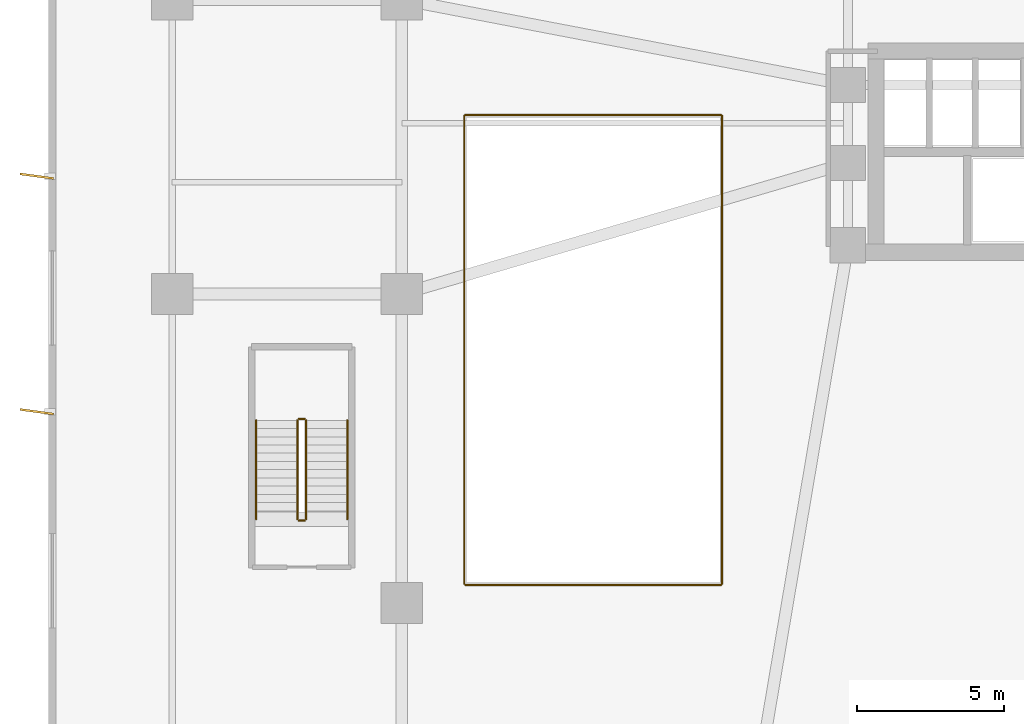
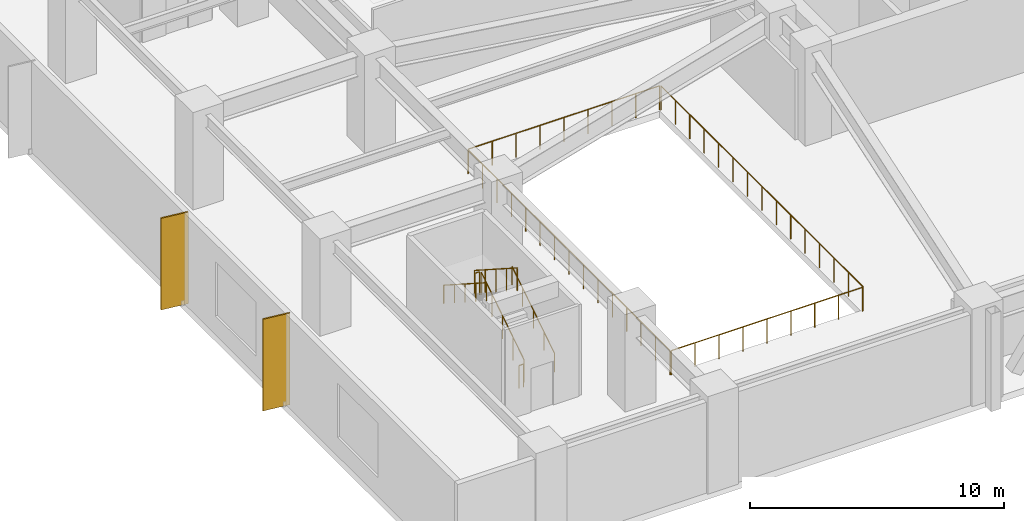
# One storey, part 8 of 12: 10 railings, 2 shading devices.
"""IFC4 building model written with IfcOpenShell, lengths in metres."""

import ifcopenshell
import ifcopenshell.guid

model = None  # the IFC model being written
_history = None  # IfcOwnerHistory: only IFC2X3 demands one
_inside = {}  # id of a spatial element -> (the spatial element, [elements in it])
_under = {}  # id of a project, library or spatial element -> (it, [spatial elements below it])
_declared = {}  # id of a project -> (the project, [libraries it declares])
_typed = {}  # id of a type object -> (the type object, [elements of that type])
_made_of = {}  # id of a material, layer set ... -> (it, [elements and type objects made of it])


def new_model(schema):
    """Start an empty IFC model of exactly this schema.

    Asked for "IFC4X3", IfcOpenShell would pick the latest addendum, in which some entities
    have other attributes; the version numbers below select the first issue.
    IFC2X3 requires an IfcOwnerHistory on every rooted entity: one is made here for all.
    """
    global model, _history
    if schema == "IFC4X3":
        model = ifcopenshell.file(schema_version=(4, 3, 0, 0))
    else:
        model = ifcopenshell.file(schema=schema)
    _inside.clear()
    _under.clear()
    _declared.clear()
    _typed.clear()
    _made_of.clear()
    _history = None
    if model.schema == "IFC2X3":
        org = make("IfcOrganization", Name="unknown")
        user = make(
            "IfcPersonAndOrganization",
            ThePerson=make("IfcPerson", FamilyName="unknown"),
            TheOrganization=org,
        )
        app = make(
            "IfcApplication",
            ApplicationDeveloper=org,
            Version="unknown",
            ApplicationFullName="unknown",
            ApplicationIdentifier="unknown",
        )
        _history = make(
            "IfcOwnerHistory",
            OwningUser=user,
            OwningApplication=app,
            ChangeAction="ADDED",
            CreationDate=0,
        )
    return model


def make(cls, **values):
    """One entity of the class cls with the attributes given. An attribute that is None is left unset."""
    return model.create_entity(
        cls, **{name: value for name, value in values.items() if value is not None}
    )


def rooted(cls, **values):
    """An entity with a GlobalId (a new one), such as an element, a storey or a relation."""
    return make(cls, GlobalId=ifcopenshell.guid.new(), OwnerHistory=_history, **values)


def si_unit(unit_type, name, prefix=None):
    """IfcSIUnit, for example si_unit("LENGTHUNIT", "METRE", prefix="MILLI")."""
    return make("IfcSIUnit", UnitType=unit_type, Prefix=prefix, Name=name)


def assignment(units):
    """IfcUnitAssignment: the units of a project."""
    return None if units is None else make("IfcUnitAssignment", Units=units)


def point(xyz):
    """IfcCartesianPoint."""
    return None if xyz is None else make("IfcCartesianPoint", Coordinates=xyz)


def direction(xyz):
    """IfcDirection."""
    return None if xyz is None else make("IfcDirection", DirectionRatios=xyz)


def frame(location, z_axis=None, x_axis=None):
    """IfcAxis2Placement3D, a coordinate frame: its origin and axes. An axis left out is left unset."""
    return make(
        "IfcAxis2Placement3D",
        Location=point(location),
        Axis=direction(z_axis),
        RefDirection=direction(x_axis),
    )


def frame_2d(location, x_axis=None):
    """IfcAxis2Placement2D, a coordinate frame in the plane: its origin and x axis."""
    return make(
        "IfcAxis2Placement2D", Location=point(location), RefDirection=direction(x_axis)
    )


def origin():
    """The frame at (0, 0, 0) with its axes left unset."""
    return frame((0.0, 0.0, 0.0))


def origin_2d():
    """The frame at (0, 0) in the plane with its x axis left unset."""
    return frame_2d((0.0, 0.0))


def place(relative_to, where):
    """IfcLocalPlacement: puts the frame where relative to a parent placement (None: the world)."""
    return make(
        "IfcLocalPlacement", PlacementRelTo=relative_to, RelativePlacement=where
    )


def context(
    kind, dimensions, precision=None, world=None, true_north=None, identifier=None
):
    """IfcGeometricRepresentationContext, for example the 3D "Model" context."""
    return make(
        "IfcGeometricRepresentationContext",
        ContextIdentifier=identifier,
        ContextType=kind,
        CoordinateSpaceDimension=dimensions,
        Precision=precision,
        WorldCoordinateSystem=world,
        TrueNorth=true_north,
    )


def subcontext(parent, identifier, kind, view, scale=None):
    """IfcGeometricRepresentationSubContext, for example "Body" below "Model"."""
    return make(
        "IfcGeometricRepresentationSubContext",
        ContextIdentifier=identifier,
        ContextType=kind,
        ParentContext=parent,
        TargetScale=scale,
        TargetView=view,
    )


def project(units=None, contexts=None):
    """IfcProject with its units and contexts."""
    return rooted(
        "IfcProject",
        Name="project",
        RepresentationContexts=contexts,
        UnitsInContext=assignment(units),
    )


def spatial(cls, under=None, at=None, **own):
    """A site, building, storey or space (cls), placed at a placement, below another one or the project."""
    s = rooted(cls, ObjectPlacement=at, **own)
    if under is not None:
        _under.setdefault(under.id(), (under, []))[1].append(s)
    return s


def profile(cls, at=None, kind="AREA", **sizes):
    """A parametric profile (cls). Its sizes go by their IFC names, for example OverallWidth=200.0."""
    return make(cls, ProfileType=kind, Position=at, **sizes)


def rectangle(**sizes):
    """IfcRectangleProfileDef."""
    return profile("IfcRectangleProfileDef", **sizes)


def circle(**sizes):
    """IfcCircleProfileDef."""
    return profile("IfcCircleProfileDef", **sizes)


def extrude(swept, where, along, depth):
    """IfcExtrudedAreaSolid: the profile swept, set in the frame where, extruded along a direction by depth."""
    return make(
        "IfcExtrudedAreaSolid",
        SweptArea=swept,
        Position=where,
        ExtrudedDirection=direction(along),
        Depth=depth,
    )


def shape(context_of_items, identifier, shape_type, items):
    """IfcShapeRepresentation: the items that make up one representation, for example the "Body"."""
    return make(
        "IfcShapeRepresentation",
        ContextOfItems=context_of_items,
        RepresentationIdentifier=identifier,
        RepresentationType=shape_type,
        Items=items,
    )


def material(Name=None, Category=None):
    """IfcMaterial."""
    return make("IfcMaterial", Name=Name, Category=Category)


def layer(
    of_material, thickness, ventilated=None, Name=None, Category=None, Priority=None
):
    """IfcMaterialLayer: one layer of a wall or slab, of a material (None: an air gap)."""
    return make(
        "IfcMaterialLayer",
        Material=of_material,
        LayerThickness=thickness,
        IsVentilated=ventilated,
        Name=Name,
        Category=Category,
        Priority=Priority,
    )


def layer_set(layers, Name=None):
    """IfcMaterialLayerSet."""
    return make("IfcMaterialLayerSet", MaterialLayers=layers, LayerSetName=Name)


def made_of(thing, what):
    """Note that an element or type object is made of a material, layer set ...; save() writes the relation."""
    if what is not None:
        _made_of.setdefault(what.id(), (what, []))[1].append(thing)
    return thing


def type_object(cls, material=None, **own):
    """A type object (cls), such as IfcWallType, which elements share."""
    return made_of(rooted(cls, **own), material)


def element(
    cls,
    number,
    at=None,
    inside=None,
    cuts=None,
    type_object=None,
    material=None,
    context=None,
    identifier="Body",
    shape_type=None,
    held_by="IfcProductDefinitionShape",
    body=None,
    shapes=None,
    **own,
):
    """One element of the class cls, such as IfcWall. Its Tag is "e" and its number.

    at: its placement. inside: the storey or other place that contains it. cuts: it is an
    opening in that element (IfcRelVoidsElement). A single representation is given by context,
    identifier, shape_type and body (its items); several are given by shapes. held_by: the class
    of the entity that holds the representations. save() writes the other relations.
    """
    e = rooted(cls, Tag="e%d" % number, ObjectPlacement=at, **own)
    if body is not None:
        shapes = [shape(context, identifier, shape_type, body)]
    if shapes is not None:
        e.Representation = make(held_by, Representations=shapes)
    if inside is not None:
        _inside.setdefault(inside.id(), (inside, []))[1].append(e)
    if cuts is not None:
        rooted(
            "IfcRelVoidsElement", RelatingBuildingElement=cuts, RelatedOpeningElement=e
        )
    if type_object is not None:
        _typed.setdefault(type_object.id(), (type_object, []))[1].append(e)
    return made_of(e, material)


def aggregate(whole, parts):
    """IfcRelAggregates: a whole, such as a stair, and the parts it consists of."""
    return rooted("IfcRelAggregates", RelatingObject=whole, RelatedObjects=parts)


def save(model, path):
    """Write the relations noted so far, then the file.

    IfcRelAggregates (storeys below a building ...), IfcRelContainedInSpatialStructure (elements
    in a storey), IfcRelDefinesByType, IfcRelAssociatesMaterial and IfcRelDeclares: one each for
    every whole, place, type object, material and project.
    """
    for whole, parts in _under.values():
        aggregate(whole, parts)
    for where, things in _inside.values():
        rooted(
            "IfcRelContainedInSpatialStructure",
            RelatedElements=things,
            RelatingStructure=where,
        )
    for kind, things in _typed.values():
        rooted("IfcRelDefinesByType", RelatedObjects=things, RelatingType=kind)
    for what, things in _made_of.values():
        rooted("IfcRelAssociatesMaterial", RelatedObjects=things, RelatingMaterial=what)
    for by, libraries in _declared.values():
        rooted("IfcRelDeclares", RelatingContext=by, RelatedDefinitions=libraries)
    model.write(path)


model = new_model("IFC4")

# Units and contexts
model_context = context("Model", 3, precision=1e-05, world=origin(), true_north=direction((0.0, 1.0)))
body_context = subcontext(model_context, "Body", "Model", "MODEL_VIEW")
ifc_project = project(units=[si_unit("LENGTHUNIT", "METRE"), si_unit("AREAUNIT", "SQUARE_METRE"), si_unit("VOLUMEUNIT", "CUBIC_METRE"), si_unit("PLANEANGLEUNIT", "RADIAN"), si_unit("MASSUNIT", "GRAM", prefix="KILO")], contexts=[model_context])

# Site, building, storey
site_placement = place(None, origin())
site = spatial("IfcSite", under=ifc_project, at=site_placement, CompositionType="ELEMENT")
building_placement = place(site_placement, origin())
building = spatial("IfcBuilding", under=site, at=building_placement, Name="Solmarez Civic Tower", CompositionType="ELEMENT")
storey_placement = place(building_placement, frame((0.0, 0.0, 5.39990234375)))
storey = spatial("IfcBuildingStorey", under=building, at=storey_placement, Name="L01", CompositionType="ELEMENT", Elevation=5.39990234375)

# Shading devices
ifc_material_1 = material(Name="Bronze Anodised Aluminium EN AW-6063 T6", Category="aluminium")
ifc_layer = layer(ifc_material_1, 0.070068359375)
ifc_layer_set = layer_set([ifc_layer], Name="Bronze Anodised Aluminium EN AW-6063 T6")
shading_device_type = type_object("IfcShadingDeviceType", Name="FIN-BRONZE-POD", PredefinedType="USERDEFINED", material=ifc_layer_set)
for number, where, z_axis, x_axis, name in (
    (1, (-36.39501953125, -14.0, -0.039794921875), (0.0, 0.0, 1.0), (-0.990983199715, 0.133986185418, 0.0), "L01 Anodised Bronze Solar Fin FIN-L01-W1"),
    (2, (-36.39501953125, -6.0, -0.039794921875), (0.0, 0.0, 1.0), (-0.990983199715, 0.133986185418, 0.0), "L01 Anodised Bronze Solar Fin FIN-L01-W2"),
):
    element("IfcShadingDevice", number, at=place(storey_placement, frame(where, z_axis=z_axis, x_axis=x_axis)), inside=storey, type_object=shading_device_type, Name=name, ObjectType="FIN", PredefinedType="USERDEFINED", context=body_context, shape_type="SweptSolid", body=[
        extrude(rectangle(XDim=1.14990234375, YDim=0.070068359375, at=origin_2d()), origin(), (0.0, 0.0, 1.0), 4.39990234375),
    ])

# Railings
ifc_material_2 = material(Name="Painted Steel Stairwell Safety Guard", Category="steel")
railing_type_1 = type_object("IfcRailingType", Name="GUARD-STAIR-1120", PredefinedType="BALUSTRADE", material=ifc_material_2)
railing_1_placement = place(storey_placement, frame((-27.25, -17.64990234375, 0.18017578125)))
element("IfcRailing", 3, at=railing_1_placement, inside=storey, type_object=railing_type_1, Name="L01 ST-P1 stair guard 1", PredefinedType="BALUSTRADE", context=body_context, shape_type="SweptSolid", body=[
    extrude(circle(Radius=0.02392578125, at=origin_2d()), frame((0.0, 0.0, 1.09619140625), z_axis=(0.0, 0.841178475377, 0.540757591313), x_axis=(-1.0, 0.0, 0.0)), (0.0, 0.0, 1.0), 3.994140625),
    extrude(circle(Radius=0.02099609375, at=origin_2d()), origin(), (0.0, 0.0, 1.0), 1.072021484375),
    extrude(circle(Radius=0.02099609375, at=origin_2d()), frame((0.0, 0.83984375, 0.5400390625)), (0.0, 0.0, 1.0), 1.072021484375),
    extrude(circle(Radius=0.02099609375, at=origin_2d()), frame((0.0, 1.679931640625, 1.080078125)), (0.0, 0.0, 1.0), 1.072021484375),
    extrude(circle(Radius=0.02099609375, at=origin_2d()), frame((0.0, 2.52001953125, 1.619873046875)), (0.0, 0.0, 1.0), 1.072021484375),
    extrude(circle(Radius=0.02099609375, at=origin_2d()), frame((0.0, 3.35986328125, 2.159912109375)), (0.0, 0.0, 1.0), 1.072021484375),
])
railing_2_placement = place(storey_placement, frame((-27.300048828125, -14.239990234375, 2.340087890625)))
element("IfcRailing", 4, at=railing_2_placement, inside=storey, type_object=railing_type_1, Name="L01 ST-P1 stair guard 2", PredefinedType="BALUSTRADE", context=body_context, shape_type="SweptSolid", body=[
    extrude(circle(Radius=0.02392578125, at=origin_2d()), frame((0.0, 0.0, 1.09619140625), z_axis=(-1.0, 0.0, 0.0), x_axis=(0.0, -1.0, 0.0)), (0.0, 0.0, 1.0), 0.199951171875),
    extrude(circle(Radius=0.02099609375, at=origin_2d()), origin(), (0.0, 0.0, 1.0), 1.072021484375),
    extrude(circle(Radius=0.02099609375, at=origin_2d()), frame((-0.199951171875, 0.0, 0.0)), (0.0, 0.0, 1.0), 1.072021484375),
])
railing_3_placement = place(storey_placement, frame((-27.550048828125, -14.2900390625, 2.52001953125)))
element("IfcRailing", 5, at=railing_3_placement, inside=storey, type_object=railing_type_1, Name="L01 ST-P1 stair guard 3", PredefinedType="BALUSTRADE", context=body_context, shape_type="SweptSolid", body=[
    extrude(circle(Radius=0.02392578125, at=origin_2d()), frame((0.0, 0.0, 1.09619140625), z_axis=(0.0, -0.841150671818, 0.540800838849), x_axis=(1.0, 0.0, 0.0)), (0.0, 0.0, 1.0), 3.994384765625),
    extrude(circle(Radius=0.02099609375, at=origin_2d()), origin(), (0.0, 0.0, 1.0), 1.072021484375),
    extrude(circle(Radius=0.02099609375, at=origin_2d()), frame((0.0, -0.83984375, 0.5400390625)), (0.0, 0.0, 1.0), 1.072021484375),
    extrude(circle(Radius=0.02099609375, at=origin_2d()), frame((0.0, -1.679931640625, 1.080078125)), (0.0, 0.0, 1.0), 1.072021484375),
    extrude(circle(Radius=0.02099609375, at=origin_2d()), frame((0.0, -2.52001953125, 1.6201171875)), (0.0, 0.0, 1.0), 1.072021484375),
    extrude(circle(Radius=0.02099609375, at=origin_2d()), frame((0.0, -3.35986328125, 2.16015625)), (0.0, 0.0, 1.0), 1.072021484375),
])
railing_4_placement = place(storey_placement, frame((-27.300048828125, -17.699951171875, 0.0)))
element("IfcRailing", 6, at=railing_4_placement, inside=storey, type_object=railing_type_1, Name="L01 ST-P1 stair guard 4", PredefinedType="BALUSTRADE", context=body_context, shape_type="SweptSolid", body=[
    extrude(circle(Radius=0.02392578125, at=origin_2d()), frame((0.0, 0.0, 1.09619140625), z_axis=(-1.0, 0.0, 0.0), x_axis=(0.0, -1.0, 0.0)), (0.0, 0.0, 1.0), 0.199951171875),
    extrude(circle(Radius=0.02099609375, at=origin_2d()), origin(), (0.0, 0.0, 1.0), 1.072021484375),
    extrude(circle(Radius=0.02099609375, at=origin_2d()), frame((-0.199951171875, 0.0, 0.0)), (0.0, 0.0, 1.0), 1.072021484375),
])
ifc_material_3 = material(Name="Bronze Anodised Aluminium and Laminated Safety Glass Balustrade", Category="aluminium")
railing_type_2 = type_object("IfcRailingType", Name="GUARD-TERR-1180", PredefinedType="BALUSTRADE", material=ifc_material_3)
railing_5_placement = place(storey_placement, frame((-21.844970703125, -19.8798828125, 0.0)))
element("IfcRailing", 7, at=railing_5_placement, inside=storey, type_object=railing_type_2, Name="L01 Safety Balustrade GRD-VOID-L01-HALL-1", PredefinedType="BALUSTRADE", context=body_context, shape_type="SweptSolid", body=[
    extrude(circle(Radius=0.02392578125, at=origin_2d()), frame((0.0, 0.0, 1.15576171875), z_axis=(1.0, 0.0, 0.0), x_axis=(0.0, 1.0, 0.0)), (0.0, 0.0, 1.0), 8.68994140625),
    extrude(circle(Radius=0.02099609375, at=origin_2d()), origin(), (0.0, 0.0, 1.0), 1.1318359375),
    extrude(circle(Radius=0.02099609375, at=origin_2d()), frame((1.086181640625, 0.0, 0.0)), (0.0, 0.0, 1.0), 1.1318359375),
    extrude(circle(Radius=0.02099609375, at=origin_2d()), frame((2.17236328125, 0.0, 0.0)), (0.0, 0.0, 1.0), 1.1318359375),
    extrude(circle(Radius=0.02099609375, at=origin_2d()), frame((3.2587890625, 0.0, 0.0)), (0.0, 0.0, 1.0), 1.1318359375),
    extrude(circle(Radius=0.02099609375, at=origin_2d()), frame((4.344970703125, 0.0, 0.0)), (0.0, 0.0, 1.0), 1.1318359375),
    extrude(circle(Radius=0.02099609375, at=origin_2d()), frame((5.43115234375, 0.0, 0.0)), (0.0, 0.0, 1.0), 1.1318359375),
    extrude(circle(Radius=0.02099609375, at=origin_2d()), frame((6.517578125, 0.0, 0.0)), (0.0, 0.0, 1.0), 1.1318359375),
    extrude(circle(Radius=0.02099609375, at=origin_2d()), frame((7.603759765625, 0.0, 0.0)), (0.0, 0.0, 1.0), 1.1318359375),
    extrude(circle(Radius=0.02099609375, at=origin_2d()), frame((8.68994140625, 0.0, 0.0)), (0.0, 0.0, 1.0), 1.1318359375),
])
railing_6_placement = place(storey_placement, frame((-13.1201171875, -19.844970703125, 0.0)))
element("IfcRailing", 8, at=railing_6_placement, inside=storey, type_object=railing_type_2, Name="L01 Safety Balustrade GRD-VOID-L01-HALL-2", PredefinedType="BALUSTRADE", context=body_context, shape_type="SweptSolid", body=[
    extrude(circle(Radius=0.02392578125, at=origin_2d()), frame((0.0, 0.0, 1.15576171875), z_axis=(0.0, 1.0, 0.0), x_axis=(-1.0, 0.0, 0.0)), (0.0, 0.0, 1.0), 15.889892578125),
    extrude(circle(Radius=0.02099609375, at=origin_2d()), origin(), (0.0, 0.0, 1.0), 1.1318359375),
    extrude(circle(Radius=0.02099609375, at=origin_2d()), frame((0.0, 1.135009765625, 0.0)), (0.0, 0.0, 1.0), 1.1318359375),
    extrude(circle(Radius=0.02099609375, at=origin_2d()), frame((0.0, 2.27001953125, 0.0)), (0.0, 0.0, 1.0), 1.1318359375),
    extrude(circle(Radius=0.02099609375, at=origin_2d()), frame((0.0, 3.405029296875, 0.0)), (0.0, 0.0, 1.0), 1.1318359375),
    extrude(circle(Radius=0.02099609375, at=origin_2d()), frame((0.0, 4.5400390625, 0.0)), (0.0, 0.0, 1.0), 1.1318359375),
    extrude(circle(Radius=0.02099609375, at=origin_2d()), frame((0.0, 5.675048828125, 0.0)), (0.0, 0.0, 1.0), 1.1318359375),
    extrude(circle(Radius=0.02099609375, at=origin_2d()), frame((0.0, 6.81005859375, 0.0)), (0.0, 0.0, 1.0), 1.1318359375),
    extrude(circle(Radius=0.02099609375, at=origin_2d()), frame((0.0, 7.94482421875, 0.0)), (0.0, 0.0, 1.0), 1.1318359375),
    extrude(circle(Radius=0.02099609375, at=origin_2d()), frame((0.0, 9.079833984375, 0.0)), (0.0, 0.0, 1.0), 1.1318359375),
    extrude(circle(Radius=0.02099609375, at=origin_2d()), frame((0.0, 10.21484375, 0.0)), (0.0, 0.0, 1.0), 1.1318359375),
    extrude(circle(Radius=0.02099609375, at=origin_2d()), frame((0.0, 11.349853515625, 0.0)), (0.0, 0.0, 1.0), 1.1318359375),
    extrude(circle(Radius=0.02099609375, at=origin_2d()), frame((0.0, 12.48486328125, 0.0)), (0.0, 0.0, 1.0), 1.1318359375),
    extrude(circle(Radius=0.02099609375, at=origin_2d()), frame((0.0, 13.619873046875, 0.0)), (0.0, 0.0, 1.0), 1.1318359375),
    extrude(circle(Radius=0.02099609375, at=origin_2d()), frame((0.0, 14.7548828125, 0.0)), (0.0, 0.0, 1.0), 1.1318359375),
    extrude(circle(Radius=0.02099609375, at=origin_2d()), frame((0.0, 15.889892578125, 0.0)), (0.0, 0.0, 1.0), 1.1318359375),
])
railing_7_placement = place(storey_placement, frame((-13.155029296875, -3.919921875, 0.0)))
element("IfcRailing", 9, at=railing_7_placement, inside=storey, type_object=railing_type_2, Name="L01 Safety Balustrade GRD-VOID-L01-HALL-3", PredefinedType="BALUSTRADE", context=body_context, shape_type="SweptSolid", body=[
    extrude(circle(Radius=0.02392578125, at=origin_2d()), frame((0.0, 0.0, 1.15576171875), z_axis=(-1.0, 0.0, 0.0), x_axis=(0.0, -1.0, 0.0)), (0.0, 0.0, 1.0), 8.68994140625),
    extrude(circle(Radius=0.02099609375, at=origin_2d()), origin(), (0.0, 0.0, 1.0), 1.1318359375),
    extrude(circle(Radius=0.02099609375, at=origin_2d()), frame((-1.086181640625, 0.0, 0.0)), (0.0, 0.0, 1.0), 1.1318359375),
    extrude(circle(Radius=0.02099609375, at=origin_2d()), frame((-2.17236328125, 0.0, 0.0)), (0.0, 0.0, 1.0), 1.1318359375),
    extrude(circle(Radius=0.02099609375, at=origin_2d()), frame((-3.2587890625, 0.0, 0.0)), (0.0, 0.0, 1.0), 1.1318359375),
    extrude(circle(Radius=0.02099609375, at=origin_2d()), frame((-4.344970703125, 0.0, 0.0)), (0.0, 0.0, 1.0), 1.1318359375),
    extrude(circle(Radius=0.02099609375, at=origin_2d()), frame((-5.43115234375, 0.0, 0.0)), (0.0, 0.0, 1.0), 1.1318359375),
    extrude(circle(Radius=0.02099609375, at=origin_2d()), frame((-6.517578125, 0.0, 0.0)), (0.0, 0.0, 1.0), 1.1318359375),
    extrude(circle(Radius=0.02099609375, at=origin_2d()), frame((-7.603759765625, 0.0, 0.0)), (0.0, 0.0, 1.0), 1.1318359375),
    extrude(circle(Radius=0.02099609375, at=origin_2d()), frame((-8.68994140625, 0.0, 0.0)), (0.0, 0.0, 1.0), 1.1318359375),
])
railing_8_placement = place(storey_placement, frame((-21.8798828125, -3.955078125, 0.0)))
element("IfcRailing", 10, at=railing_8_placement, inside=storey, type_object=railing_type_2, Name="L01 Safety Balustrade GRD-VOID-L01-HALL-4", PredefinedType="BALUSTRADE", context=body_context, shape_type="SweptSolid", body=[
    extrude(circle(Radius=0.02392578125, at=origin_2d()), frame((0.0, 0.0, 1.15576171875), z_axis=(0.0, -1.0, 0.0), x_axis=(1.0, 0.0, 0.0)), (0.0, 0.0, 1.0), 15.889892578125),
    extrude(circle(Radius=0.02099609375, at=origin_2d()), origin(), (0.0, 0.0, 1.0), 1.1318359375),
    extrude(circle(Radius=0.02099609375, at=origin_2d()), frame((0.0, -1.135009765625, 0.0)), (0.0, 0.0, 1.0), 1.1318359375),
    extrude(circle(Radius=0.02099609375, at=origin_2d()), frame((0.0, -2.27001953125, 0.0)), (0.0, 0.0, 1.0), 1.1318359375),
    extrude(circle(Radius=0.02099609375, at=origin_2d()), frame((0.0, -3.405029296875, 0.0)), (0.0, 0.0, 1.0), 1.1318359375),
    extrude(circle(Radius=0.02099609375, at=origin_2d()), frame((0.0, -4.5400390625, 0.0)), (0.0, 0.0, 1.0), 1.1318359375),
    extrude(circle(Radius=0.02099609375, at=origin_2d()), frame((0.0, -5.675048828125, 0.0)), (0.0, 0.0, 1.0), 1.1318359375),
    extrude(circle(Radius=0.02099609375, at=origin_2d()), frame((0.0, -6.81005859375, 0.0)), (0.0, 0.0, 1.0), 1.1318359375),
    extrude(circle(Radius=0.02099609375, at=origin_2d()), frame((0.0, -7.94482421875, 0.0)), (0.0, 0.0, 1.0), 1.1318359375),
    extrude(circle(Radius=0.02099609375, at=origin_2d()), frame((0.0, -9.079833984375, 0.0)), (0.0, 0.0, 1.0), 1.1318359375),
    extrude(circle(Radius=0.02099609375, at=origin_2d()), frame((0.0, -10.21484375, 0.0)), (0.0, 0.0, 1.0), 1.1318359375),
    extrude(circle(Radius=0.02099609375, at=origin_2d()), frame((0.0, -11.349853515625, 0.0)), (0.0, 0.0, 1.0), 1.1318359375),
    extrude(circle(Radius=0.02099609375, at=origin_2d()), frame((0.0, -12.48486328125, 0.0)), (0.0, 0.0, 1.0), 1.1318359375),
    extrude(circle(Radius=0.02099609375, at=origin_2d()), frame((0.0, -13.619873046875, 0.0)), (0.0, 0.0, 1.0), 1.1318359375),
    extrude(circle(Radius=0.02099609375, at=origin_2d()), frame((0.0, -14.7548828125, 0.0)), (0.0, 0.0, 1.0), 1.1318359375),
    extrude(circle(Radius=0.02099609375, at=origin_2d()), frame((0.0, -15.889892578125, 0.0)), (0.0, 0.0, 1.0), 1.1318359375),
])
ifc_material_4 = material(Name="Brushed Stainless Steel Tube Handrail", Category="steel")
railing_type_3 = type_object("IfcRailingType", Name="HANDRAIL-STAIR-900", PredefinedType="HANDRAIL", material=ifc_material_4)
railing_9_placement = place(storey_placement, frame((-25.85009765625, -17.64990234375, 0.18017578125)))
element("IfcRailing", 11, at=railing_9_placement, inside=storey, type_object=railing_type_3, Name="L01 ST-P1 stair handrail 1", PredefinedType="HANDRAIL", context=body_context, shape_type="SweptSolid", body=[
    extrude(circle(Radius=0.02392578125, at=origin_2d()), frame((0.0, 0.0, 0.8759765625), z_axis=(0.0, 0.841178475377, 0.540757591313), x_axis=(-1.0, 0.0, 0.0)), (0.0, 0.0, 1.0), 3.994140625),
    extrude(circle(Radius=0.02099609375, at=origin_2d()), origin(), (0.0, 0.0, 1.0), 0.851806640625),
    extrude(circle(Radius=0.02099609375, at=origin_2d()), frame((0.0, 0.83984375, 0.5400390625)), (0.0, 0.0, 1.0), 0.851806640625),
    extrude(circle(Radius=0.02099609375, at=origin_2d()), frame((0.0, 1.679931640625, 1.080078125)), (0.0, 0.0, 1.0), 0.851806640625),
    extrude(circle(Radius=0.02099609375, at=origin_2d()), frame((0.0, 2.52001953125, 1.619873046875)), (0.0, 0.0, 1.0), 0.851806640625),
    extrude(circle(Radius=0.02099609375, at=origin_2d()), frame((0.0, 3.35986328125, 2.159912109375)), (0.0, 0.0, 1.0), 0.851806640625),
])
railing_10_placement = place(storey_placement, frame((-28.949951171875, -14.2900390625, 2.52001953125)))
element("IfcRailing", 12, at=railing_10_placement, inside=storey, type_object=railing_type_3, Name="L01 ST-P1 stair handrail 2", PredefinedType="HANDRAIL", context=body_context, shape_type="SweptSolid", body=[
    extrude(circle(Radius=0.02392578125, at=origin_2d()), frame((0.0, 0.0, 0.8759765625), z_axis=(0.0, -0.841150671818, 0.540800838849), x_axis=(1.0, 0.0, 0.0)), (0.0, 0.0, 1.0), 3.994384765625),
    extrude(circle(Radius=0.02099609375, at=origin_2d()), origin(), (0.0, 0.0, 1.0), 0.851806640625),
    extrude(circle(Radius=0.02099609375, at=origin_2d()), frame((0.0, -0.83984375, 0.5400390625)), (0.0, 0.0, 1.0), 0.851806640625),
    extrude(circle(Radius=0.02099609375, at=origin_2d()), frame((0.0, -1.679931640625, 1.080078125)), (0.0, 0.0, 1.0), 0.851806640625),
    extrude(circle(Radius=0.02099609375, at=origin_2d()), frame((0.0, -2.52001953125, 1.6201171875)), (0.0, 0.0, 1.0), 0.851806640625),
    extrude(circle(Radius=0.02099609375, at=origin_2d()), frame((0.0, -3.35986328125, 2.16015625)), (0.0, 0.0, 1.0), 0.851806640625),
])

save(model, "model.ifc")
